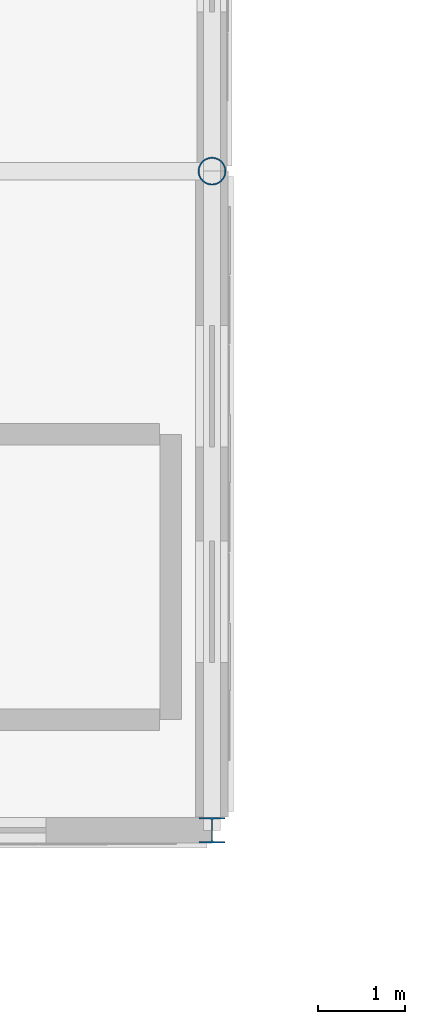
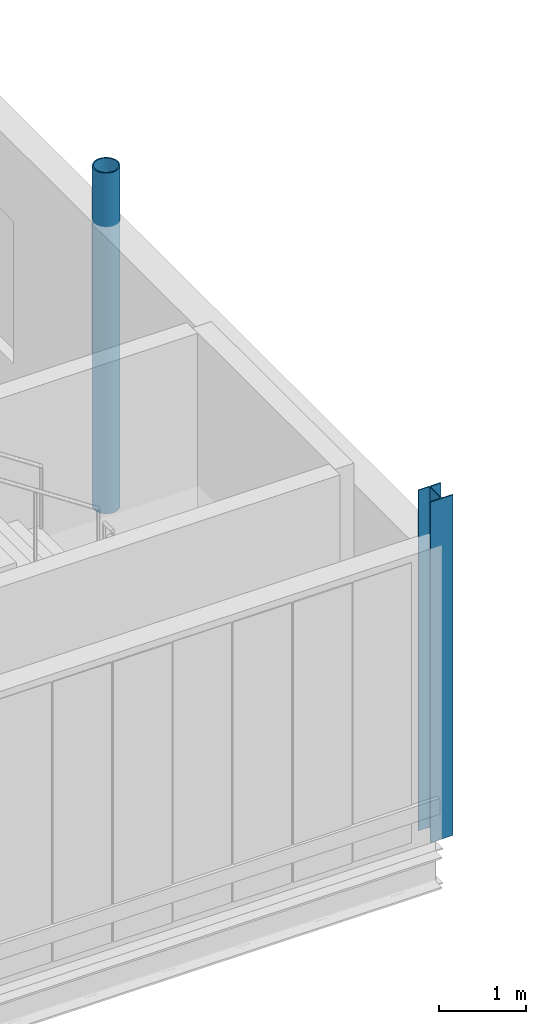
# One storey, part 8 of 120: 2 columns.
"""IFC4 building model written with IfcOpenShell, lengths in metres."""

from ifc_helpers import new_model, si_unit, direction, frame, origin, origin_2d, place, context, subcontext, project, spatial, hollow_circle, i_section, extrude, material, material_profile, profile_set, type_object, element, save


model = new_model("IFC4")

# Units and contexts
model_context = context("Model", 3, precision=1e-05, world=origin(), true_north=direction((0.0, 1.0)))
body_context = subcontext(model_context, "Body", "Model", "MODEL_VIEW")
ifc_project = project(units=[si_unit("LENGTHUNIT", "METRE"), si_unit("AREAUNIT", "SQUARE_METRE"), si_unit("VOLUMEUNIT", "CUBIC_METRE"), si_unit("PLANEANGLEUNIT", "RADIAN"), si_unit("MASSUNIT", "GRAM", prefix="KILO")], contexts=[model_context])

# Site, building, storey
site_placement = place(None, origin())
site = spatial("IfcSite", under=ifc_project, at=site_placement, CompositionType="ELEMENT")
building_placement = place(site_placement, origin())
building = spatial("IfcBuilding", under=site, at=building_placement, Name="Vekula Escarpment Museum", CompositionType="ELEMENT")
storey_placement = place(building_placement, frame((0.0, 0.0, 13.199951171875)))
storey = spatial("IfcBuildingStorey", under=building, at=storey_placement, Name="L03", CompositionType="ELEMENT", Elevation=13.199951171875)

# Columns
ifc_material_1 = material(Name="Steel S355", Category="steel")
ifc_material_profile_1 = material_profile(ifc_material_1, hollow_circle(Radius=0.161865234375, WallThickness=0.01611328125, at=origin_2d()), Name="CHS 323.9x16")
ifc_profile_set_1 = profile_set([ifc_material_profile_1], Name="Steel S355")
column_type_1 = type_object("IfcColumnType", Name="COL-S-CHS323", PredefinedType="COLUMN", material=ifc_profile_set_1)
column_1_placement = place(storey_placement, frame((56.0, 120.800048828125, 0.0), z_axis=(0.0, 0.0, 1.0), x_axis=(1.0, 0.0, 0.0)))
element("IfcColumn", 1, at=column_1_placement, inside=storey, type_object=column_type_1, Name="Column L03 (56.0,120.8)", PredefinedType="COLUMN", context=body_context, shape_type="SweptSolid", body=[
    extrude(hollow_circle(Radius=0.161865234375, WallThickness=0.01611328125, at=origin_2d()), origin(), (0.0, 0.0, 1.0), 4.800048828125),
])
ifc_material_2 = material(Name="Steel S355", Category="steel")
ifc_material_profile_2 = material_profile(ifc_material_2, i_section(OverallWidth=0.300048828125, OverallDepth=0.2900390625, WebThickness=0.008544921875, FlangeThickness=0.013916015625, FilletRadius=0.027099609375, at=origin_2d()), Name="HEA 300")
ifc_profile_set_2 = profile_set([ifc_material_profile_2], Name="Steel S355")
column_type_2 = type_object("IfcColumnType", Name="COL-S-HEA300", PredefinedType="COLUMN", material=ifc_profile_set_2)
column_2_placement = place(storey_placement, frame((56.0, 113.199951171875, 0.0), z_axis=(0.0, 0.0, 1.0), x_axis=(1.0, 0.0, 0.0)))
element("IfcColumn", 2, at=column_2_placement, inside=storey, type_object=column_type_2, Name="Column L03 (56.0,113.2)", PredefinedType="COLUMN", context=body_context, shape_type="SweptSolid", body=[
    extrude(i_section(OverallWidth=0.300048828125, OverallDepth=0.2900390625, WebThickness=0.008544921875, FlangeThickness=0.013916015625, FilletRadius=0.027099609375, at=origin_2d()), origin(), (0.0, 0.0, 1.0), 4.800048828125),
])

save(model, "model.ifc")
